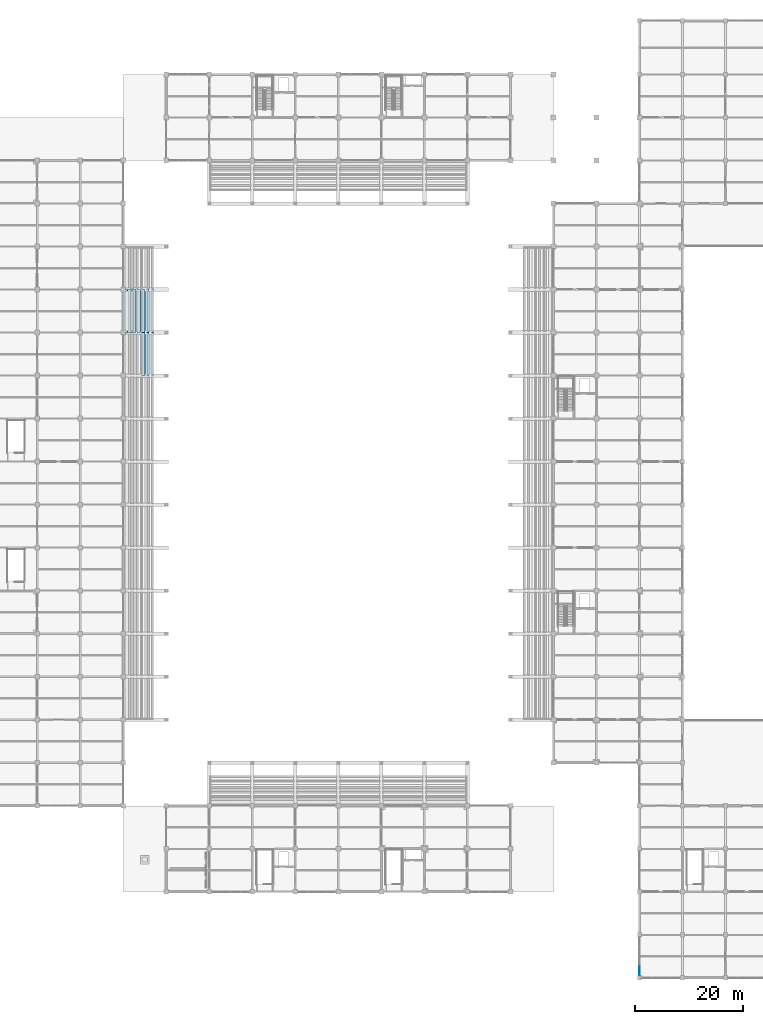
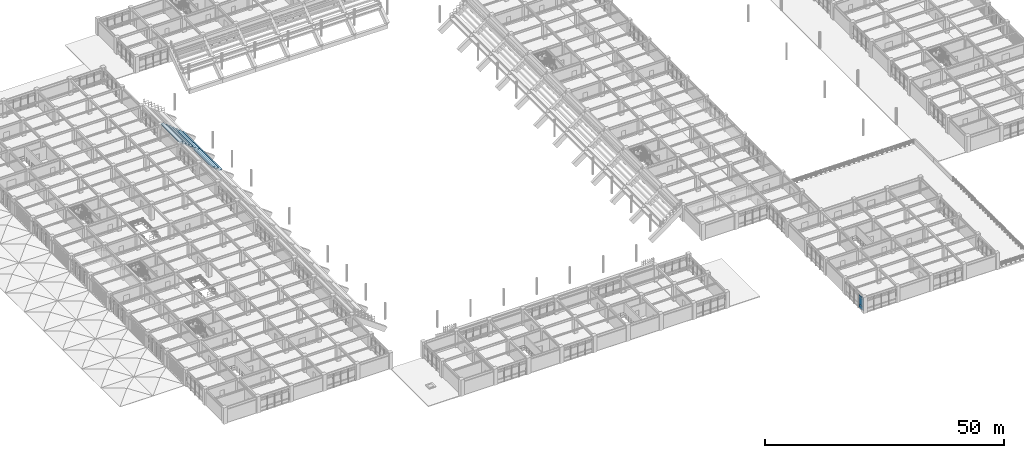
# One storey, part 71 of 118: 10 slabs, 3 plates, 1 element without a shape of its own.
"""IFC4 building model written with IfcOpenShell, lengths in metres."""

from ifc_helpers import new_model, si_unit, direction, frame, origin, origin_2d, place, context, subcontext, project, spatial, polyline, rectangle, outline, extrude, material, layer, layer_set, type_object, element, aggregate, save


model = new_model("IFC4")

# Units and contexts
model_context = context("Model", 3, precision=1e-05, world=origin(), true_north=direction((0.0, 1.0)))
body_context = subcontext(model_context, "Body", "Model", "MODEL_VIEW")
ifc_project = project(units=[si_unit("LENGTHUNIT", "METRE"), si_unit("AREAUNIT", "SQUARE_METRE"), si_unit("VOLUMEUNIT", "CUBIC_METRE"), si_unit("PLANEANGLEUNIT", "RADIAN"), si_unit("MASSUNIT", "GRAM", prefix="KILO")], contexts=[model_context])

# Site, building, storey
site_placement = place(None, origin())
site = spatial("IfcSite", under=ifc_project, at=site_placement, CompositionType="ELEMENT")
building_placement = place(site_placement, origin())
building = spatial("IfcBuilding", under=site, at=building_placement, Name="Haebicheon Civic Stadium", CompositionType="ELEMENT")
storey_placement = place(building_placement, frame((0.0, 0.0, 14.39990234375)))
storey = spatial("IfcBuildingStorey", under=building, at=storey_placement, Name="L04", CompositionType="ELEMENT", Elevation=14.39990234375)

# Curtain wall, plates
ifc_material_1 = material(Name="Anodised aluminium and laminated glass", Category="aluminium")
ifc_layer_1 = layer(ifc_material_1, 0.179931640625, Name="Anodised aluminium and laminated glass")
ifc_layer_set_1 = layer_set([ifc_layer_1], Name="Anodised aluminium and laminated glass")
curtain_wall_type = type_object("IfcCurtainWallType", Name="CW-7200x3350", PredefinedType="NOTDEFINED", material=ifc_layer_set_1)
curtain_wall_placement = place(storey_placement, origin())
curtain_wall = element("IfcCurtainWall", 1, at=curtain_wall_placement, inside=storey, type_object=curtain_wall_type, material=ifc_layer_set_1, Name="L04 unitised curtain wall 151", PredefinedType="NOTDEFINED")
ifc_material_2 = material(Name="Double low-e acoustic laminated glass", Category="glass")
ifc_layer_2 = layer(ifc_material_2, 0.035888671875, Name="Double low-e acoustic laminated glass")
ifc_layer_set_2 = layer_set([ifc_layer_2], Name="Double low-e acoustic laminated glass")
plate_type_1 = type_object("IfcPlateType", Name="CWP-GLZ-36", PredefinedType="CURTAIN_PANEL", material=ifc_layer_set_2)
plate_1_placement = place(storey_placement, frame((160.0, 1.318115234375, 0.93505859375), z_axis=(0.0, 0.0, 1.0), x_axis=(0.0, 1.0, 0.0)))
plate_1 = element("IfcPlate", 2, at=plate_1_placement, type_object=plate_type_1, material=ifc_layer_set_2, Name="CW-L04-151 vision panel 1.2", PredefinedType="CURTAIN_PANEL", context=body_context, shape_type="SweptSolid", body=[
    extrude(rectangle(XDim=1.695068359375, YDim=0.035888671875, at=origin_2d()), origin(), (0.0, 0.0, 1.0), 1.830078125),
])
ifc_material_3 = material(Name="Anodised aluminium 6063-T6", Category="aluminium")
ifc_layer_3 = layer(ifc_material_3, 0.053955078125, Name="Anodised aluminium 6063-T6")
ifc_layer_set_3 = layer_set([ifc_layer_3], Name="Anodised aluminium 6063-T6")
plate_type_2 = type_object("IfcPlateType", Name="CWP-SPD-54", PredefinedType="CURTAIN_PANEL", material=ifc_layer_set_3)
plate_2_placement = place(storey_placement, frame((160.0, 1.318115234375, 0.03515625), z_axis=(0.0, 0.0, 1.0), x_axis=(0.0, 1.0, 0.0)))
plate_2 = element("IfcPlate", 3, at=plate_2_placement, type_object=plate_type_2, material=ifc_layer_set_3, Name="CW-L04-151 spandrel panel 1.1", PredefinedType="CURTAIN_PANEL", context=body_context, shape_type="SweptSolid", body=[
    extrude(rectangle(XDim=1.695068359375, YDim=0.053955078125, at=origin_2d()), origin(), (0.0, 0.0, 1.0), 0.830078125),
])
plate_3_placement = place(storey_placement, frame((160.0, 1.318115234375, 2.835205078125), z_axis=(0.0, 0.0, 1.0), x_axis=(0.0, 1.0, 0.0)))
plate_3 = element("IfcPlate", 4, at=plate_3_placement, type_object=plate_type_2, material=ifc_layer_set_3, Name="CW-L04-151 spandrel panel 1.3", PredefinedType="CURTAIN_PANEL", context=body_context, shape_type="SweptSolid", body=[
    extrude(rectangle(XDim=1.695068359375, YDim=0.053955078125, at=origin_2d()), origin(), (0.0, 0.0, 1.0), 0.47998046875),
])
aggregate(curtain_wall, [plate_2, plate_1, plate_3])

# Slabs
ifc_material_4 = material(Name="Precast concrete C40/50", Category="concrete")
ifc_layer_4 = layer(ifc_material_4, 0.239990234375, Name="Precast concrete C40/50")
ifc_layer_set_4 = layer_set([ifc_layer_4], Name="Precast concrete C40/50")
slab_type = type_object("IfcSlabType", Name="SLB-TIER-240", PredefinedType="USERDEFINED", material=ifc_layer_set_4)
slab_1_placement = place(storey_placement, frame((0.0, 0.0, 0.093017578125)))
element("IfcSlab", 5, at=slab_1_placement, inside=storey, type_object=slab_type, material=ifc_layer_set_4, Name="TIER-W-U precast seating tier bay 9 row-band 4", ObjectType="SEATING TIER", PredefinedType="USERDEFINED", context=body_context, shape_type="SweptSolid", body=[
    extrude(outline(polyline([(68.800048828125, 112.0), (69.60009765625, 112.0), (69.60009765625, 120.0), (68.800048828125, 120.0), (68.800048828125, 112.0)])), origin(), (0.0, 0.0, 1.0), 0.239990234375),
])
slab_2_placement = place(storey_placement, frame((0.0, 0.0, 0.738037109375)))
element("IfcSlab", 6, at=slab_2_placement, inside=storey, type_object=slab_type, material=ifc_layer_set_4, Name="TIER-W-U precast seating tier bay 9 row-band 5", ObjectType="SEATING TIER", PredefinedType="USERDEFINED", context=body_context, shape_type="SweptSolid", body=[
    extrude(outline(polyline([(68.0, 112.0), (68.800048828125, 112.0), (68.800048828125, 120.0), (68.0, 120.0), (68.0, 112.0)])), origin(), (0.0, 0.0, 1.0), 0.239990234375),
])
slab_3_placement = place(storey_placement, frame((0.0, 0.0, 1.382080078125)))
element("IfcSlab", 7, at=slab_3_placement, inside=storey, type_object=slab_type, material=ifc_layer_set_4, Name="TIER-W-U precast seating tier bay 9 row-band 6", ObjectType="SEATING TIER", PredefinedType="USERDEFINED", context=body_context, shape_type="SweptSolid", body=[
    extrude(outline(polyline([(67.199951171875, 112.0), (68.0, 112.0), (68.0, 120.0), (67.199951171875, 120.0), (67.199951171875, 112.0)])), origin(), (0.0, 0.0, 1.0), 0.239990234375),
])
slab_4_placement = place(storey_placement, frame((0.0, 0.0, 0.093017578125)))
element("IfcSlab", 8, at=slab_4_placement, inside=storey, type_object=slab_type, material=ifc_layer_set_4, Name="TIER-W-U precast seating tier bay 10 row-band 4", ObjectType="SEATING TIER", PredefinedType="USERDEFINED", context=body_context, shape_type="SweptSolid", body=[
    extrude(outline(polyline([(68.800048828125, 120.0), (69.60009765625, 120.0), (69.60009765625, 128.0), (68.800048828125, 128.0), (68.800048828125, 120.0)])), origin(), (0.0, 0.0, 1.0), 0.239990234375),
])
slab_5_placement = place(storey_placement, frame((0.0, 0.0, 0.738037109375)))
element("IfcSlab", 9, at=slab_5_placement, inside=storey, type_object=slab_type, material=ifc_layer_set_4, Name="TIER-W-U precast seating tier bay 10 row-band 5", ObjectType="SEATING TIER", PredefinedType="USERDEFINED", context=body_context, shape_type="SweptSolid", body=[
    extrude(outline(polyline([(68.0, 120.0), (68.800048828125, 120.0), (68.800048828125, 128.0), (68.0, 128.0), (68.0, 120.0)])), origin(), (0.0, 0.0, 1.0), 0.239990234375),
])
slab_6_placement = place(storey_placement, frame((0.0, 0.0, 1.382080078125)))
element("IfcSlab", 10, at=slab_6_placement, inside=storey, type_object=slab_type, material=ifc_layer_set_4, Name="TIER-W-U precast seating tier bay 10 row-band 6", ObjectType="SEATING TIER", PredefinedType="USERDEFINED", context=body_context, shape_type="SweptSolid", body=[
    extrude(outline(polyline([(67.199951171875, 120.0), (68.0, 120.0), (68.0, 128.0), (67.199951171875, 128.0), (67.199951171875, 120.0)])), origin(), (0.0, 0.0, 1.0), 0.239990234375),
])
slab_7_placement = place(storey_placement, frame((0.0, 0.0, 2.027099609375)))
element("IfcSlab", 11, at=slab_7_placement, inside=storey, type_object=slab_type, material=ifc_layer_set_4, Name="TIER-W-U precast seating tier bay 10 row-band 7", ObjectType="SEATING TIER", PredefinedType="USERDEFINED", context=body_context, shape_type="SweptSolid", body=[
    extrude(outline(polyline([(66.39990234375, 120.0), (67.199951171875, 120.0), (67.199951171875, 128.0), (66.39990234375, 128.0), (66.39990234375, 120.0)])), origin(), (0.0, 0.0, 1.0), 0.239990234375),
])
slab_8_placement = place(storey_placement, frame((0.0, 0.0, 2.671142578125)))
element("IfcSlab", 12, at=slab_8_placement, inside=storey, type_object=slab_type, material=ifc_layer_set_4, Name="TIER-W-U precast seating tier bay 10 row-band 8", ObjectType="SEATING TIER", PredefinedType="USERDEFINED", context=body_context, shape_type="SweptSolid", body=[
    extrude(outline(polyline([(65.60009765625, 120.0), (66.39990234375, 120.0), (66.39990234375, 128.0), (65.60009765625, 128.0), (65.60009765625, 120.0)])), origin(), (0.0, 0.0, 1.0), 0.239990234375),
])
slab_9_placement = place(storey_placement, frame((0.0, 0.0, 3.316162109375)))
element("IfcSlab", 13, at=slab_9_placement, inside=storey, type_object=slab_type, material=ifc_layer_set_4, Name="TIER-W-U precast seating tier bay 10 row-band 9", ObjectType="SEATING TIER", PredefinedType="USERDEFINED", context=body_context, shape_type="SweptSolid", body=[
    extrude(outline(polyline([(64.800048828125, 120.0), (65.60009765625, 120.0), (65.60009765625, 128.0), (64.800048828125, 128.0), (64.800048828125, 120.0)])), origin(), (0.0, 0.0, 1.0), 0.239990234375),
])
slab_10_placement = place(storey_placement, frame((0.0, 0.0, 3.960205078125)))
element("IfcSlab", 14, at=slab_10_placement, inside=storey, type_object=slab_type, material=ifc_layer_set_4, Name="TIER-W-U precast seating tier bay 10 row-band 10", ObjectType="SEATING TIER", PredefinedType="USERDEFINED", context=body_context, shape_type="SweptSolid", body=[
    extrude(outline(polyline([(64.0, 120.0), (64.800048828125, 120.0), (64.800048828125, 128.0), (64.0, 128.0), (64.0, 120.0)])), origin(), (0.0, 0.0, 1.0), 0.239990234375),
])

save(model, "model.ifc")
